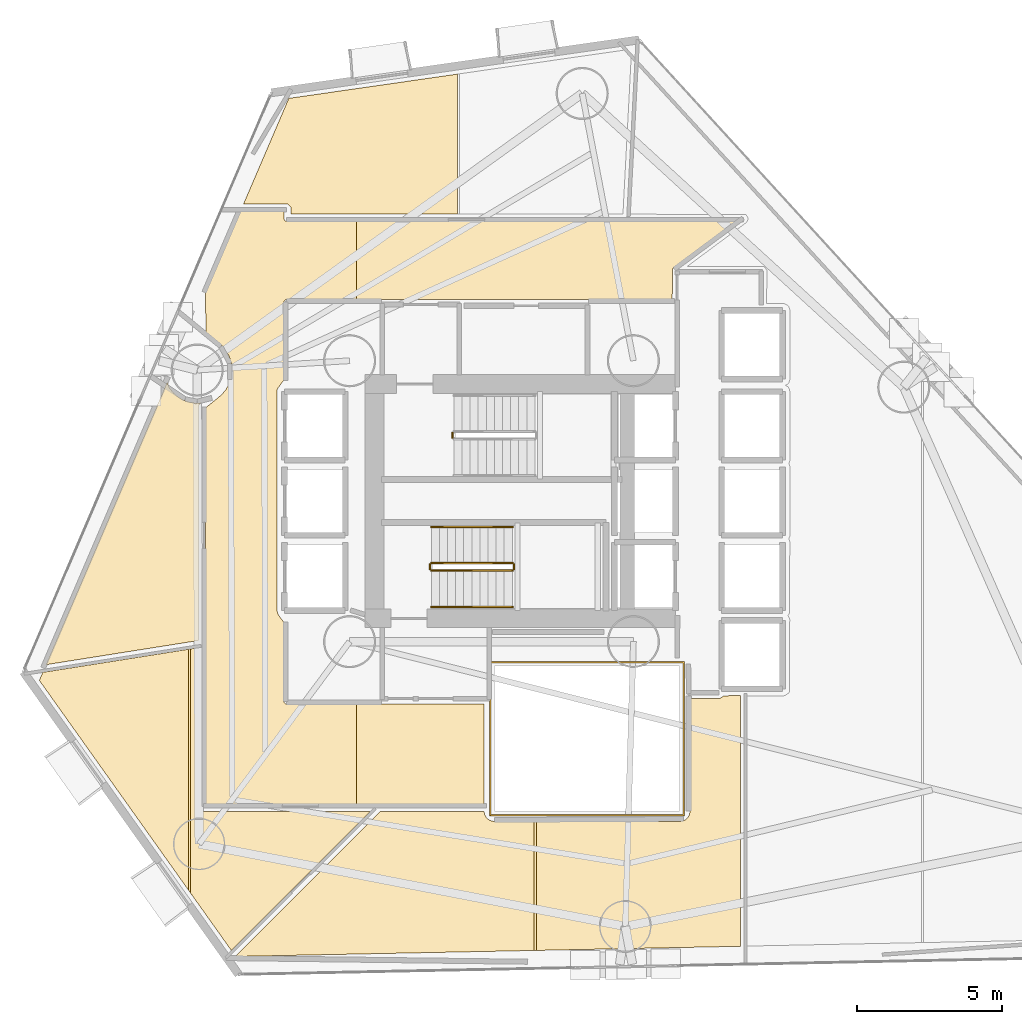
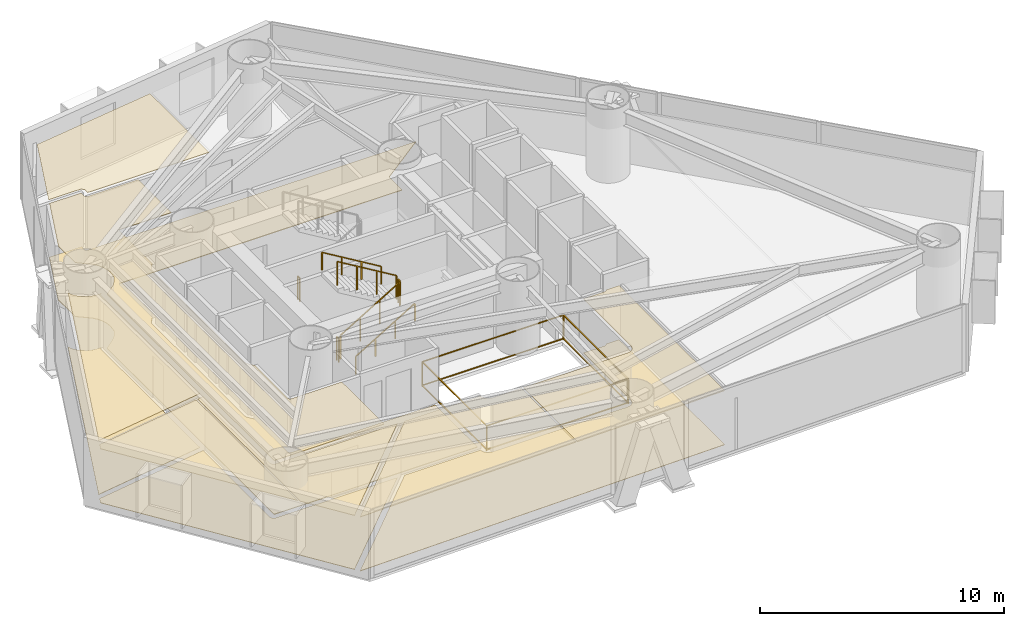
# One storey, part 20 of 22: 11 coverings, 8 railings.
"""IFC4 building model written with IfcOpenShell, lengths in metres."""

from ifc_helpers import new_model, si_unit, direction, frame, origin, origin_2d, place, context, subcontext, project, spatial, polyline, rectangle, outline, extrude, material, layer, layer_set, type_object, element, save


model = new_model("IFC4")

# Units and contexts
model_context = context("Model", 3, precision=1e-05, world=origin(), true_north=direction((0.0, 1.0)))
body_context = subcontext(model_context, "Body", "Model", "MODEL_VIEW")
ifc_project = project(units=[si_unit("LENGTHUNIT", "METRE"), si_unit("AREAUNIT", "SQUARE_METRE"), si_unit("VOLUMEUNIT", "CUBIC_METRE"), si_unit("PLANEANGLEUNIT", "RADIAN"), si_unit("MASSUNIT", "GRAM", prefix="KILO")], contexts=[model_context])

# Site, building, storey
site_placement = place(None, origin())
site = spatial("IfcSite", under=ifc_project, at=site_placement, CompositionType="ELEMENT")
building_placement = place(site_placement, origin())
building = spatial("IfcBuilding", under=site, at=building_placement, Name="Qianvela Tower", CompositionType="ELEMENT")
storey_placement = place(building_placement, frame((0.0, 0.0, 44.199951171875)))
storey = spatial("IfcBuildingStorey", under=building, at=storey_placement, Name="L10", CompositionType="ELEMENT", Elevation=44.199951171875)

# Coverings
ifc_material_1 = material(Name="Perforated Mineral Acoustic Ceiling Tile")
ifc_layer_1 = layer(ifc_material_1, 0.02490234375)
ifc_layer_set_1 = layer_set([ifc_layer_1], Name="Perforated Mineral Acoustic Ceiling Tile")
covering_type_1 = type_object("IfcCoveringType", Name="COV-CEIL-ACOUSTIC-25", PredefinedType="CEILING", material=ifc_layer_set_1)
covering_1_placement = place(storey_placement, frame((0.0, 0.0, 2.695068359375)))
element("IfcCovering", 1, at=covering_1_placement, inside=storey, type_object=covering_type_1, Name="L10 Acoustic Ceiling Bay 1 L10 Floor Corridor", PredefinedType="CEILING", context=body_context, shape_type="SweptSolid", body=[
    extrude(outline(polyline([(24.514892578125, 33.462158203125), (24.512939453125, 33.4697265625), (24.44921875, 33.6796875), (24.44677734375, 33.687255859375), (24.443359375, 33.6943359375), (24.33984375, 33.887939453125), (24.335693359375, 33.894775390625), (24.3310546875, 33.90087890625), (24.19189453125, 34.07080078125), (24.1865234375, 34.076416015625), (24.1806640625, 34.081787109375), (23.635498046875, 34.529296875), (23.630126953125, 35.912353515625), (24.83349609375, 38.719970703125), (26.340087890625, 38.719970703125), (26.340087890625, 38.449951171875), (26.34033203125, 38.442138671875), (26.341552734375, 38.434326171875), (26.343505859375, 38.4267578125), (26.34619140625, 38.41943359375), (26.349365234375, 38.412353515625), (26.353515625, 38.405517578125), (26.358154296875, 38.399169921875), (26.36328125, 38.393310546875), (26.369140625, 38.38818359375), (26.37548828125, 38.383544921875), (26.38232421875, 38.37939453125), (26.389404296875, 38.376220703125), (26.396728515625, 38.373291015625), (26.404296875, 38.37158203125), (26.412109375, 38.370361328125), (26.419921875, 38.3701171875), (28.831787109375, 38.3701171875), (28.831787109375, 35.659912109375), (26.419921875, 35.659912109375), (26.412109375, 35.65966796875), (26.404296875, 35.658447265625), (26.396728515625, 35.656494140625), (26.389404296875, 35.65380859375), (26.38232421875, 35.650634765625), (26.37548828125, 35.646484375), (26.369140625, 35.641845703125), (26.36328125, 35.63671875), (26.358154296875, 35.630859375), (26.353515625, 35.62451171875), (26.349365234375, 35.61767578125), (26.34619140625, 35.610595703125), (26.343505859375, 35.603271484375), (26.341552734375, 35.595703125), (26.34033203125, 35.587890625), (26.340087890625, 35.580078125), (26.340087890625, 32.89599609375), (26.11572265625, 32.593505859375), (26.11181640625, 32.587646484375), (26.108154296875, 32.581298828125), (26.105224609375, 32.574462890625), (26.10302734375, 32.567626953125), (26.101318359375, 32.560546875), (26.100341796875, 32.55322265625), (26.10009765625, 32.5458984375), (26.10009765625, 24.89990234375), (26.100341796875, 24.89208984375), (26.1015625, 24.884521484375), (26.103515625, 24.876708984375), (26.126953125, 24.799072265625), (26.12939453125, 24.79248046875), (26.132080078125, 24.786376953125), (26.135498046875, 24.7802734375), (26.139404296875, 24.774658203125), (26.340087890625, 24.50390625), (26.340087890625, 21.780029296875), (26.34033203125, 21.772216796875), (26.341552734375, 21.764404296875), (26.343505859375, 21.7568359375), (26.34619140625, 21.74951171875), (26.349365234375, 21.7421875), (26.353515625, 21.735595703125), (26.358154296875, 21.729248046875), (26.36328125, 21.723388671875), (26.369140625, 21.71826171875), (26.37548828125, 21.71337890625), (26.38232421875, 21.70947265625), (26.389404296875, 21.7060546875), (26.396728515625, 21.703369140625), (26.404296875, 21.701416015625), (26.412109375, 21.700439453125), (26.419921875, 21.699951171875), (28.831787109375, 21.699951171875), (28.831787109375, 18.22998046875), (23.6298828125, 18.22998046875), (23.6298828125, 31.922119140625), (24.1806640625, 32.374267578125), (24.1865234375, 32.37939453125), (24.19189453125, 32.38525390625), (24.3310546875, 32.554931640625), (24.335693359375, 32.561279296875), (24.33984375, 32.568115234375), (24.49609375, 32.8603515625), (24.49951171875, 32.867431640625), (24.502197265625, 32.875), (24.50390625, 32.882568359375), (24.505126953125, 32.890380859375), (24.53759765625, 33.22021484375), (24.5380859375, 33.22802734375), (24.53759765625, 33.23583984375), (24.51611328125, 33.454345703125), (24.514892578125, 33.462158203125)])), origin(), (0.0, 0.0, 1.0), 0.02490234375),
])
covering_2_placement = place(storey_placement, frame((0.0, 0.0, 2.695068359375)))
element("IfcCovering", 2, at=covering_2_placement, inside=storey, type_object=covering_type_1, Name="L10 Acoustic Ceiling Bay 1 Commons Day Lounge L10-01", PredefinedType="CEILING", context=body_context, shape_type="SweptSolid", body=[
    extrude(outline(polyline([(23.030029296875, 23.584716796875), (23.030029296875, 15.277587890625), (17.886474609375, 22.511474609375), (18.00537109375, 22.788818359375), (23.030029296875, 23.584716796875)])), origin(), (0.0, 0.0, 1.0), 0.02490234375),
])
covering_3_placement = place(storey_placement, frame((0.0, 0.0, 2.695068359375)))
element("IfcCovering", 3, at=covering_3_placement, inside=storey, type_object=covering_type_1, Name="L10 Acoustic Ceiling Bay 2 Commons Day Lounge L10-01", PredefinedType="CEILING", context=body_context, shape_type="SweptSolid", body=[
    extrude(outline(polyline([(23.389892578125, 23.6416015625), (23.389892578125, 18.14990234375), (23.390380859375, 18.14208984375), (23.3916015625, 18.134521484375), (23.393310546875, 18.126708984375), (23.39599609375, 18.119384765625), (23.41943359375, 18.062744140625), (23.4228515625, 18.0556640625), (23.427001953125, 18.049072265625), (23.431640625, 18.042724609375), (23.43701171875, 18.036865234375), (23.442626953125, 18.031494140625), (23.448974609375, 18.02685546875), (23.455810546875, 18.02294921875), (23.462890625, 18.01953125), (23.519287109375, 17.99609375), (23.52685546875, 17.993408203125), (23.534423828125, 17.991455078125), (23.542236328125, 17.990478515625), (23.550048828125, 17.989990234375), (29.3173828125, 17.989990234375), (24.515625, 13.188232421875), (23.110107421875, 15.1650390625), (23.110107421875, 23.597412109375), (23.389892578125, 23.6416015625)])), origin(), (0.0, 0.0, 1.0), 0.02490234375),
])
covering_4_placement = place(storey_placement, frame((0.0, 0.0, 2.695068359375)))
element("IfcCovering", 4, at=covering_4_placement, inside=storey, type_object=covering_type_1, Name="L10 Acoustic Ceiling Bay 1 Panoramic Study Lounge L10-03", PredefinedType="CEILING", context=body_context, shape_type="SweptSolid", body=[
    extrude(outline(polyline([(26.57958984375, 38.610107421875), (26.57861328125, 38.81591796875), (26.577880859375, 38.82373046875), (26.576904296875, 38.83154296875), (26.574951171875, 38.839111328125), (26.572265625, 38.846435546875), (26.56884765625, 38.853515625), (26.56494140625, 38.860107421875), (26.560302734375, 38.866455078125), (26.554931640625, 38.872314453125), (26.4921875, 38.93505859375), (26.486328125, 38.940185546875), (26.47998046875, 38.945068359375), (26.473388671875, 38.948974609375), (26.46630859375, 38.952392578125), (26.458984375, 38.955078125), (26.451416015625, 38.956787109375), (26.443603515625, 38.9580078125), (26.435791015625, 38.95849609375), (24.936279296875, 38.9599609375), (26.50048828125, 42.609375), (32.31884765625, 43.4462890625), (32.31884765625, 38.610107421875), (26.57958984375, 38.610107421875)])), origin(), (0.0, 0.0, 1.0), 0.02490234375),
])
covering_5_placement = place(storey_placement, frame((0.0, 0.0, 2.695068359375)))
element("IfcCovering", 5, at=covering_5_placement, inside=storey, type_object=covering_type_1, Name="L10 Acoustic Ceiling Floor Dining Kitchen L10-04", PredefinedType="CEILING", context=body_context, shape_type="SweptSolid", body=[
    extrude(outline(polyline([(22.299560546875, 32.80810546875), (22.3828125, 32.6083984375), (22.385986328125, 32.601318359375), (22.39013671875, 32.594482421875), (22.394775390625, 32.58837890625), (22.526611328125, 32.427734375), (22.531982421875, 32.421875), (22.53759765625, 32.41650390625), (22.6982421875, 32.284912109375), (22.70458984375, 32.280029296875), (22.71142578125, 32.276123046875), (22.89453125, 32.177978515625), (22.901611328125, 32.1748046875), (22.9091796875, 32.172119140625), (23.10791015625, 32.11181640625), (23.115478515625, 32.10986328125), (23.123291015625, 32.10888671875), (23.330078125, 32.08837890625), (23.337890625, 32.087890625), (23.345703125, 32.08837890625), (23.469482421875, 32.1005859375), (23.442626953125, 32.078369140625), (23.436767578125, 32.0732421875), (23.431640625, 32.0673828125), (23.427001953125, 32.06103515625), (23.4228515625, 32.05419921875), (23.41943359375, 32.04736328125), (23.39599609375, 31.99072265625), (23.393310546875, 31.9833984375), (23.3916015625, 31.9755859375), (23.390380859375, 31.968017578125), (23.389892578125, 31.960205078125), (23.389892578125, 23.888671875), (18.118896484375, 23.053955078125), (22.299560546875, 32.80810546875)])), origin(), (0.0, 0.0, 1.0), 0.02490234375),
])
covering_6_placement = place(storey_placement, frame((0.0, 0.0, 2.695068359375)))
element("IfcCovering", 6, at=covering_6_placement, inside=storey, type_object=covering_type_1, Name="L10 Acoustic Ceiling Bay 1 Social Galley Kitchen L10-05", PredefinedType="CEILING", context=body_context, shape_type="SweptSolid", body=[
    extrude(outline(polyline([(33.252197265625, 17.912353515625), (33.25341796875, 17.904296875), (33.25537109375, 17.896240234375), (33.258056640625, 17.888427734375), (33.261474609375, 17.881103515625), (33.31298828125, 17.78466796875), (33.31689453125, 17.77783203125), (33.32177734375, 17.771484375), (33.326904296875, 17.765869140625), (33.332763671875, 17.760498046875), (33.417236328125, 17.691162109375), (33.42431640625, 17.68603515625), (33.431884765625, 17.681640625), (33.440185546875, 17.677978515625), (33.448486328125, 17.675537109375), (33.58056640625, 17.642333984375), (33.5869140625, 17.64111328125), (33.593505859375, 17.640380859375), (33.60009765625, 17.639892578125), (34.973388671875, 17.639892578125), (34.973388671875, 13.185546875), (24.6650390625, 12.97802734375), (24.658935546875, 12.986572265625), (29.66259765625, 17.989990234375), (33.24609375, 17.989990234375), (33.252197265625, 17.912353515625)])), origin(), (0.0, 0.0, 1.0), 0.02490234375),
])
covering_7_placement = place(storey_placement, frame((0.0, 0.0, 2.695068359375)))
element("IfcCovering", 7, at=covering_7_placement, inside=storey, type_object=covering_type_1, Name="L10 Acoustic Ceiling Bay 2 Social Galley Kitchen L10-05", PredefinedType="CEILING", context=body_context, shape_type="SweptSolid", body=[
    extrude(outline(polyline([(40.0, 17.639892578125), (40.006591796875, 17.640380859375), (40.012939453125, 17.64111328125), (40.019287109375, 17.642333984375), (40.1513671875, 17.675537109375), (40.15966796875, 17.677978515625), (40.16748046875, 17.681396484375), (40.175048828125, 17.685791015625), (40.18212890625, 17.690673828125), (40.188720703125, 17.696533203125), (40.303466796875, 17.811279296875), (40.309326171875, 17.81787109375), (40.314208984375, 17.824951171875), (40.318603515625, 17.83251953125), (40.322021484375, 17.84033203125), (40.324462890625, 17.8486328125), (40.357666015625, 17.980712890625), (40.35888671875, 17.987060546875), (40.359619140625, 17.993408203125), (40.360107421875, 18.0), (40.360107421875, 21.889892578125), (41.367919921875, 21.890380859375), (41.375732421875, 21.890869140625), (41.383544921875, 21.891845703125), (41.39111328125, 21.893798828125), (41.3984375, 21.896484375), (41.405517578125, 21.89990234375), (41.45947265625, 21.9287109375), (41.46630859375, 21.932861328125), (41.472900390625, 21.9375), (41.478759765625, 21.943115234375), (41.48388671875, 21.948974609375), (41.48876953125, 21.955322265625), (41.492919921875, 21.96240234375), (41.49609375, 21.969482421875), (41.498779296875, 21.97705078125), (41.49951171875, 21.980224609375), (42.095703125, 21.983154296875), (42.095947265625, 13.328857421875), (35.053466796875, 13.187255859375), (35.053466796875, 17.639892578125), (40.0, 17.639892578125)])), origin(), (0.0, 0.0, 1.0), 0.02490234375),
])
ifc_material_2 = material(Name="Engineered Acoustic Oak Timber Flooring", Category="wood")
ifc_layer_2 = layer(ifc_material_2, 0.02001953125)
ifc_layer_set_2 = layer_set([ifc_layer_2], Name="Engineered Acoustic Oak Timber Flooring")
covering_type_2 = type_object("IfcCoveringType", Name="COV-FLOOR-OAK-20", PredefinedType="FLOORING", material=ifc_layer_set_2)
covering_8_placement = place(storey_placement, origin())
element("IfcCovering", 8, at=covering_8_placement, inside=storey, type_object=covering_type_2, Name="L10 Finish Flooring Commons Day Lounge L10-01", PredefinedType="FLOORING", context=body_context, shape_type="SweptSolid", body=[
    extrude(outline(polyline([(18.00537109375, 22.788818359375), (23.389892578125, 23.6416015625), (23.389892578125, 18.14990234375), (23.390380859375, 18.14208984375), (23.3916015625, 18.134521484375), (23.393310546875, 18.126708984375), (23.39599609375, 18.119384765625), (23.41943359375, 18.062744140625), (23.4228515625, 18.0556640625), (23.427001953125, 18.049072265625), (23.431640625, 18.042724609375), (23.43701171875, 18.036865234375), (23.442626953125, 18.031494140625), (23.448974609375, 18.02685546875), (23.455810546875, 18.02294921875), (23.462890625, 18.01953125), (23.519287109375, 17.99609375), (23.52685546875, 17.993408203125), (23.534423828125, 17.991455078125), (23.542236328125, 17.990478515625), (23.550048828125, 17.989990234375), (29.3173828125, 17.989990234375), (24.515625, 13.188232421875), (17.886474609375, 22.511474609375), (18.00537109375, 22.788818359375)])), origin(), (0.0, 0.0, 1.0), 0.02001953125),
])
covering_9_placement = place(storey_placement, origin())
element("IfcCovering", 9, at=covering_9_placement, inside=storey, type_object=covering_type_2, Name="L10 Finish Flooring Floor Dining Kitchen L10-04", PredefinedType="FLOORING", context=body_context, shape_type="SweptSolid", body=[
    extrude(outline(polyline([(22.299560546875, 32.80810546875), (22.3828125, 32.6083984375), (22.385986328125, 32.601318359375), (22.39013671875, 32.594482421875), (22.394775390625, 32.58837890625), (22.526611328125, 32.427734375), (22.531982421875, 32.421875), (22.53759765625, 32.41650390625), (22.6982421875, 32.284912109375), (22.70458984375, 32.280029296875), (22.71142578125, 32.276123046875), (22.89453125, 32.177978515625), (22.901611328125, 32.1748046875), (22.9091796875, 32.172119140625), (23.10791015625, 32.11181640625), (23.115478515625, 32.10986328125), (23.123291015625, 32.10888671875), (23.330078125, 32.08837890625), (23.337890625, 32.087890625), (23.345703125, 32.08837890625), (23.469482421875, 32.1005859375), (23.442626953125, 32.078369140625), (23.436767578125, 32.0732421875), (23.431640625, 32.0673828125), (23.427001953125, 32.06103515625), (23.4228515625, 32.05419921875), (23.41943359375, 32.04736328125), (23.39599609375, 31.99072265625), (23.393310546875, 31.9833984375), (23.3916015625, 31.9755859375), (23.390380859375, 31.968017578125), (23.389892578125, 31.960205078125), (23.389892578125, 23.888671875), (18.118896484375, 23.053955078125), (22.299560546875, 32.80810546875)])), origin(), (0.0, 0.0, 1.0), 0.02001953125),
])
covering_10_placement = place(storey_placement, origin())
element("IfcCovering", 10, at=covering_10_placement, inside=storey, type_object=covering_type_2, Name="L10 Finish Flooring Social Galley Kitchen L10-05", PredefinedType="FLOORING", context=body_context, shape_type="SweptSolid", body=[
    extrude(outline(polyline([(33.24609375, 17.989990234375), (33.252197265625, 17.912353515625), (33.25341796875, 17.904296875), (33.25537109375, 17.896240234375), (33.258056640625, 17.888427734375), (33.261474609375, 17.881103515625), (33.31298828125, 17.78466796875), (33.31689453125, 17.77783203125), (33.32177734375, 17.771484375), (33.326904296875, 17.765869140625), (33.332763671875, 17.760498046875), (33.417236328125, 17.691162109375), (33.42431640625, 17.68603515625), (33.431884765625, 17.681640625), (33.440185546875, 17.677978515625), (33.448486328125, 17.675537109375), (33.58056640625, 17.642333984375), (33.5869140625, 17.64111328125), (33.593505859375, 17.640380859375), (33.60009765625, 17.639892578125), (40.0, 17.639892578125), (40.006591796875, 17.640380859375), (40.012939453125, 17.64111328125), (40.019287109375, 17.642333984375), (40.1513671875, 17.675537109375), (40.15966796875, 17.677978515625), (40.16748046875, 17.681396484375), (40.175048828125, 17.685791015625), (40.18212890625, 17.690673828125), (40.188720703125, 17.696533203125), (40.303466796875, 17.811279296875), (40.309326171875, 17.81787109375), (40.314208984375, 17.824951171875), (40.318603515625, 17.83251953125), (40.322021484375, 17.84033203125), (40.324462890625, 17.8486328125), (40.357666015625, 17.980712890625), (40.35888671875, 17.987060546875), (40.359619140625, 17.993408203125), (40.360107421875, 18.0), (40.360107421875, 21.889892578125), (41.367919921875, 21.890380859375), (41.375732421875, 21.890869140625), (41.383544921875, 21.891845703125), (41.39111328125, 21.893798828125), (41.3984375, 21.896484375), (41.405517578125, 21.89990234375), (41.45947265625, 21.9287109375), (41.46630859375, 21.932861328125), (41.472900390625, 21.9375), (41.478759765625, 21.943115234375), (41.48388671875, 21.948974609375), (41.48876953125, 21.955322265625), (41.492919921875, 21.96240234375), (41.49609375, 21.969482421875), (41.498779296875, 21.97705078125), (41.49951171875, 21.980224609375), (42.095703125, 21.983154296875), (42.095947265625, 13.328857421875), (24.6650390625, 12.97802734375), (24.658935546875, 12.986572265625), (29.66259765625, 17.989990234375), (33.24609375, 17.989990234375)])), origin(), (0.0, 0.0, 1.0), 0.02001953125),
])
ifc_material_3 = material(Name="Honed Stone Terrazzo Flooring", Category="masonry")
ifc_layer_3 = layer(ifc_material_3, 0.030029296875)
ifc_layer_set_3 = layer_set([ifc_layer_3], Name="Honed Stone Terrazzo Flooring")
covering_type_3 = type_object("IfcCoveringType", Name="COV-FLOOR-TERRAZZO-30", PredefinedType="FLOORING", material=ifc_layer_set_3)
covering_11_placement = place(storey_placement, origin())
element("IfcCovering", 11, at=covering_11_placement, inside=storey, type_object=covering_type_3, Name="L10 Finish Flooring L10 Floor Corridor", PredefinedType="FLOORING", context=body_context, shape_type="SweptSolid", body=[
    extrude(outline(polyline([(24.51611328125, 33.454345703125), (24.514892578125, 33.462158203125), (24.512939453125, 33.4697265625), (24.44921875, 33.6796875), (24.44677734375, 33.687255859375), (24.443359375, 33.6943359375), (24.33984375, 33.887939453125), (24.335693359375, 33.894775390625), (24.3310546875, 33.90087890625), (24.19189453125, 34.07080078125), (24.1865234375, 34.076416015625), (24.1806640625, 34.081787109375), (23.635498046875, 34.529296875), (23.630126953125, 35.912353515625), (24.83349609375, 38.719970703125), (26.340087890625, 38.719970703125), (26.340087890625, 38.449951171875), (26.34033203125, 38.442138671875), (26.341552734375, 38.434326171875), (26.343505859375, 38.4267578125), (26.34619140625, 38.41943359375), (26.349365234375, 38.412353515625), (26.353515625, 38.405517578125), (26.358154296875, 38.399169921875), (26.36328125, 38.393310546875), (26.369140625, 38.38818359375), (26.37548828125, 38.383544921875), (26.38232421875, 38.37939453125), (26.389404296875, 38.376220703125), (26.396728515625, 38.373291015625), (26.404296875, 38.37158203125), (26.412109375, 38.370361328125), (26.419921875, 38.3701171875), (41.961181640625, 38.3701171875), (39.784423828125, 36.753662109375), (39.778076171875, 36.748291015625), (39.772216796875, 36.742431640625), (39.76708984375, 36.736083984375), (39.7626953125, 36.729248046875), (39.759033203125, 36.721923828125), (39.756103515625, 36.71435546875), (39.75390625, 36.70654296875), (39.752685546875, 36.698486328125), (39.752197265625, 36.690185546875), (39.739013671875, 35.659912109375), (26.419921875, 35.659912109375), (26.412109375, 35.65966796875), (26.404296875, 35.658447265625), (26.396728515625, 35.656494140625), (26.389404296875, 35.65380859375), (26.38232421875, 35.650634765625), (26.37548828125, 35.646484375), (26.369140625, 35.641845703125), (26.36328125, 35.63671875), (26.358154296875, 35.630859375), (26.353515625, 35.62451171875), (26.349365234375, 35.61767578125), (26.34619140625, 35.610595703125), (26.343505859375, 35.603271484375), (26.341552734375, 35.595703125), (26.34033203125, 35.587890625), (26.340087890625, 35.580078125), (26.340087890625, 32.89599609375), (26.11572265625, 32.593505859375), (26.11181640625, 32.587646484375), (26.108154296875, 32.581298828125), (26.105224609375, 32.574462890625), (26.10302734375, 32.567626953125), (26.101318359375, 32.560546875), (26.100341796875, 32.55322265625), (26.10009765625, 32.5458984375), (26.10009765625, 24.89990234375), (26.100341796875, 24.89208984375), (26.1015625, 24.884521484375), (26.103515625, 24.876708984375), (26.126953125, 24.799072265625), (26.12939453125, 24.79248046875), (26.132080078125, 24.786376953125), (26.135498046875, 24.7802734375), (26.139404296875, 24.774658203125), (26.340087890625, 24.50390625), (26.340087890625, 21.780029296875), (26.34033203125, 21.772216796875), (26.341552734375, 21.764404296875), (26.343505859375, 21.7568359375), (26.34619140625, 21.74951171875), (26.349365234375, 21.7421875), (26.353515625, 21.735595703125), (26.358154296875, 21.729248046875), (26.36328125, 21.723388671875), (26.369140625, 21.71826171875), (26.37548828125, 21.71337890625), (26.38232421875, 21.70947265625), (26.389404296875, 21.7060546875), (26.396728515625, 21.703369140625), (26.404296875, 21.701416015625), (26.412109375, 21.700439453125), (26.419921875, 21.699951171875), (33.239990234375, 21.699951171875), (33.239990234375, 18.22998046875), (23.6298828125, 18.22998046875), (23.6298828125, 31.922119140625), (24.1806640625, 32.374267578125), (24.1865234375, 32.37939453125), (24.19189453125, 32.38525390625), (24.3310546875, 32.554931640625), (24.335693359375, 32.561279296875), (24.33984375, 32.568115234375), (24.49609375, 32.8603515625), (24.49951171875, 32.867431640625), (24.502197265625, 32.875), (24.50390625, 32.882568359375), (24.505126953125, 32.890380859375), (24.53759765625, 33.22021484375), (24.5380859375, 33.22802734375), (24.53759765625, 33.23583984375), (24.51611328125, 33.454345703125)])), origin(), (0.0, 0.0, 1.0), 0.030029296875),
])

# Railings
ifc_material_4 = material(Name="Laminated Safety Glass and Stainless Steel 316", Category="steel")
railing_type_1 = type_object("IfcRailingType", Name="RL-ATRIUM-GUARD-1250", PredefinedType="GUARDRAIL", material=ifc_material_4)
railing_1_placement = place(storey_placement, frame((33.4599609375, 17.860107421875, 0.0)))
element("IfcRailing", 12, at=railing_1_placement, inside=storey, type_object=railing_type_1, Name="L10 Atrium Edge Guardrail 1", PredefinedType="GUARDRAIL", context=body_context, shape_type="SweptSolid", body=[
    extrude(rectangle(XDim=0.050048828125, YDim=0.0400390625, at=origin_2d()), frame((0.0, 0.0, 1.22998046875), z_axis=(0.0, 1.0, 0.0), x_axis=(-1.0, 0.0, 0.0)), (0.0, 0.0, 1.0), 5.27978515625),
    extrude(rectangle(XDim=0.050048828125, YDim=0.0400390625, at=origin_2d()), frame((0.0, 0.0, 0.050048828125), z_axis=(0.0, 1.0, 0.0), x_axis=(-1.0, 0.0, 0.0)), (0.0, 0.0, 1.0), 5.27978515625),
    extrude(rectangle(XDim=0.050048828125, YDim=0.0400390625, at=origin_2d()), frame((0.0, 5.27978515625, 1.22998046875), z_axis=(1.0, 0.0, 0.0), x_axis=(0.0, 1.0, 0.0)), (0.0, 0.0, 1.0), 6.679931640625),
    extrude(rectangle(XDim=0.050048828125, YDim=0.0400390625, at=origin_2d()), frame((0.0, 5.27978515625, 0.050048828125), z_axis=(1.0, 0.0, 0.0), x_axis=(0.0, 1.0, 0.0)), (0.0, 0.0, 1.0), 6.679931640625),
    extrude(rectangle(XDim=0.050048828125, YDim=0.0400390625, at=origin_2d()), frame((6.679931640625, 5.27978515625, 1.22998046875), z_axis=(0.0, -1.0, 0.0), x_axis=(1.0, 0.0, 0.0)), (0.0, 0.0, 1.0), 5.27978515625),
    extrude(rectangle(XDim=0.050048828125, YDim=0.0400390625, at=origin_2d()), frame((6.679931640625, 5.27978515625, 0.050048828125), z_axis=(0.0, -1.0, 0.0), x_axis=(1.0, 0.0, 0.0)), (0.0, 0.0, 1.0), 5.27978515625),
    extrude(rectangle(XDim=0.050048828125, YDim=0.0400390625, at=origin_2d()), frame((6.679931640625, 0.0, 1.22998046875), z_axis=(-1.0, 0.0, 0.0), x_axis=(0.0, -1.0, 0.0)), (0.0, 0.0, 1.0), 6.679931640625),
    extrude(rectangle(XDim=0.050048828125, YDim=0.0400390625, at=origin_2d()), frame((6.679931640625, 0.0, 0.050048828125), z_axis=(-1.0, 0.0, 0.0), x_axis=(0.0, -1.0, 0.0)), (0.0, 0.0, 1.0), 6.679931640625),
    extrude(rectangle(XDim=0.050048828125, YDim=0.050048828125, at=origin_2d()), origin(), (0.0, 0.0, 1.0), 1.2099609375),
    extrude(rectangle(XDim=0.050048828125, YDim=0.050048828125, at=origin_2d()), frame((0.0, 5.27978515625, 0.0)), (0.0, 0.0, 1.0), 1.2099609375),
    extrude(rectangle(XDim=0.050048828125, YDim=0.050048828125, at=origin_2d()), frame((6.679931640625, 5.27978515625, 0.0)), (0.0, 0.0, 1.0), 1.2099609375),
    extrude(rectangle(XDim=0.050048828125, YDim=0.050048828125, at=origin_2d()), frame((6.679931640625, 0.0, 0.0)), (0.0, 0.0, 1.0), 1.2099609375),
])
ifc_material_5 = material(Name="Painted Tubular Steel Q355B", Category="steel")
railing_type_2 = type_object("IfcRailingType", Name="RL-STAIR-GUARD-1200", PredefinedType="GUARDRAIL", material=ifc_material_5)
railing_2_placement = place(storey_placement, frame((32.14990234375, 30.889892578125, 0.0)))
element("IfcRailing", 13, at=railing_2_placement, inside=storey, type_object=railing_type_2, Name="L10 ST-1 stair guard 4", PredefinedType="GUARDRAIL", context=body_context, shape_type="SweptSolid", body=[
    extrude(rectangle(XDim=0.050048828125, YDim=0.0400390625, at=origin_2d()), frame((0.0, 0.0, 1.179931640625), z_axis=(0.0, 1.0, 0.0), x_axis=(-1.0, 0.0, 0.0)), (0.0, 0.0, 1.0), 0.16015625),
    extrude(rectangle(XDim=0.050048828125, YDim=0.050048828125, at=origin_2d()), origin(), (0.0, 0.0, 1.0), 1.159912109375),
    extrude(rectangle(XDim=0.050048828125, YDim=0.050048828125, at=origin_2d()), frame((0.0, 0.16015625, 0.0)), (0.0, 0.0, 1.0), 1.159912109375),
])
railing_3_placement = place(storey_placement, frame((31.419921875, 26.300048828125, 0.168212890625)))
element("IfcRailing", 14, at=railing_3_placement, inside=storey, type_object=railing_type_2, Name="L10 ST-2 stair guard 1", PredefinedType="GUARDRAIL", context=body_context, shape_type="SweptSolid", body=[
    extrude(rectangle(XDim=0.050048828125, YDim=0.0400390625, at=origin_2d()), frame((0.0, 0.0, 1.179931640625), z_axis=(0.857242210791, 0.0, 0.514913383045), x_axis=(0.0, 1.0, 0.0)), (0.0, 0.0, 1.0), 3.266357421875),
    extrude(rectangle(XDim=0.050048828125, YDim=0.050048828125, at=origin_2d()), origin(), (0.0, 0.0, 1.0), 1.159912109375),
    extrude(rectangle(XDim=0.050048828125, YDim=0.050048828125, at=origin_2d()), frame((0.933349609375, 0.0, 0.560546875)), (0.0, 0.0, 1.0), 1.159912109375),
    extrude(rectangle(XDim=0.050048828125, YDim=0.050048828125, at=origin_2d()), frame((1.86669921875, 0.0, 1.121337890625)), (0.0, 0.0, 1.0), 1.159912109375),
    extrude(rectangle(XDim=0.050048828125, YDim=0.050048828125, at=origin_2d()), frame((2.800048828125, 0.0, 1.681884765625)), (0.0, 0.0, 1.0), 1.159912109375),
])
railing_4_placement = place(storey_placement, frame((34.27001953125, 26.35009765625, 1.85009765625)))
element("IfcRailing", 15, at=railing_4_placement, inside=storey, type_object=railing_type_2, Name="L10 ST-2 stair guard 2", PredefinedType="GUARDRAIL", context=body_context, shape_type="SweptSolid", body=[
    extrude(rectangle(XDim=0.050048828125, YDim=0.0400390625, at=origin_2d()), frame((0.0, 0.0, 1.179931640625), z_axis=(0.0, 1.0, 0.0), x_axis=(-1.0, 0.0, 0.0)), (0.0, 0.0, 1.0), 0.159912109375),
    extrude(rectangle(XDim=0.050048828125, YDim=0.050048828125, at=origin_2d()), origin(), (0.0, 0.0, 1.0), 1.159912109375),
    extrude(rectangle(XDim=0.050048828125, YDim=0.050048828125, at=origin_2d()), frame((0.0, 0.159912109375, 0.0)), (0.0, 0.0, 1.0), 1.159912109375),
])
railing_5_placement = place(storey_placement, frame((34.219970703125, 26.56005859375, 2.018310546875)))
element("IfcRailing", 16, at=railing_5_placement, inside=storey, type_object=railing_type_2, Name="L10 ST-2 stair guard 3", PredefinedType="GUARDRAIL", context=body_context, shape_type="SweptSolid", body=[
    extrude(rectangle(XDim=0.050048828125, YDim=0.0400390625, at=origin_2d()), frame((0.0, 0.0, 1.179931640625), z_axis=(-0.857275202839, 0.0, 0.514858452973), x_axis=(0.0, -1.0, 0.0)), (0.0, 0.0, 1.0), 3.26611328125),
    extrude(rectangle(XDim=0.050048828125, YDim=0.050048828125, at=origin_2d()), origin(), (0.0, 0.0, 1.0), 1.159912109375),
    extrude(rectangle(XDim=0.050048828125, YDim=0.050048828125, at=origin_2d()), frame((-0.933349609375, 0.0, 0.560546875)), (0.0, 0.0, 1.0), 1.159912109375),
    extrude(rectangle(XDim=0.050048828125, YDim=0.050048828125, at=origin_2d()), frame((-1.86669921875, 0.0, 1.12109375)), (0.0, 0.0, 1.0), 1.159912109375),
    extrude(rectangle(XDim=0.050048828125, YDim=0.050048828125, at=origin_2d()), frame((-2.800048828125, 0.0, 1.681640625)), (0.0, 0.0, 1.0), 1.159912109375),
])
railing_6_placement = place(storey_placement, frame((31.3701171875, 26.35009765625, 0.0)))
element("IfcRailing", 17, at=railing_6_placement, inside=storey, type_object=railing_type_2, Name="L10 ST-2 stair guard 4", PredefinedType="GUARDRAIL", context=body_context, shape_type="SweptSolid", body=[
    extrude(rectangle(XDim=0.050048828125, YDim=0.0400390625, at=origin_2d()), frame((0.0, 0.0, 1.179931640625), z_axis=(0.0, 1.0, 0.0), x_axis=(-1.0, 0.0, 0.0)), (0.0, 0.0, 1.0), 0.159912109375),
    extrude(rectangle(XDim=0.050048828125, YDim=0.050048828125, at=origin_2d()), origin(), (0.0, 0.0, 1.0), 1.159912109375),
    extrude(rectangle(XDim=0.050048828125, YDim=0.050048828125, at=origin_2d()), frame((0.0, 0.159912109375, 0.0)), (0.0, 0.0, 1.0), 1.159912109375),
])
ifc_material_6 = material(Name="Brushed Stainless Steel 304", Category="steel")
railing_type_3 = type_object("IfcRailingType", Name="RL-STAIR-HANDRAIL-900", PredefinedType="HANDRAIL", material=ifc_material_6)
railing_7_placement = place(storey_placement, frame((31.419921875, 25.050048828125, 0.168212890625)))
element("IfcRailing", 18, at=railing_7_placement, inside=storey, type_object=railing_type_3, Name="L10 ST-2 stair handrail 1", PredefinedType="HANDRAIL", context=body_context, shape_type="SweptSolid", body=[
    extrude(rectangle(XDim=0.050048828125, YDim=0.0400390625, at=origin_2d()), frame((0.0, 0.0, 0.8798828125), z_axis=(0.857242210791, 0.0, 0.514913383045), x_axis=(0.0, 1.0, 0.0)), (0.0, 0.0, 1.0), 3.266357421875),
    extrude(rectangle(XDim=0.050048828125, YDim=0.050048828125, at=origin_2d()), origin(), (0.0, 0.0, 1.0), 0.85986328125),
    extrude(rectangle(XDim=0.050048828125, YDim=0.050048828125, at=origin_2d()), frame((0.933349609375, 0.0, 0.560546875)), (0.0, 0.0, 1.0), 0.85986328125),
    extrude(rectangle(XDim=0.050048828125, YDim=0.050048828125, at=origin_2d()), frame((1.86669921875, 0.0, 1.121337890625)), (0.0, 0.0, 1.0), 0.85986328125),
    extrude(rectangle(XDim=0.050048828125, YDim=0.050048828125, at=origin_2d()), frame((2.800048828125, 0.0, 1.681884765625)), (0.0, 0.0, 1.0), 0.85986328125),
])
railing_8_placement = place(storey_placement, frame((34.219970703125, 27.81005859375, 2.018310546875)))
element("IfcRailing", 19, at=railing_8_placement, inside=storey, type_object=railing_type_3, Name="L10 ST-2 stair handrail 2", PredefinedType="HANDRAIL", context=body_context, shape_type="SweptSolid", body=[
    extrude(rectangle(XDim=0.050048828125, YDim=0.0400390625, at=origin_2d()), frame((0.0, 0.0, 0.8798828125), z_axis=(-0.857275202839, 0.0, 0.514858452973), x_axis=(0.0, -1.0, 0.0)), (0.0, 0.0, 1.0), 3.26611328125),
    extrude(rectangle(XDim=0.050048828125, YDim=0.050048828125, at=origin_2d()), origin(), (0.0, 0.0, 1.0), 0.85986328125),
    extrude(rectangle(XDim=0.050048828125, YDim=0.050048828125, at=origin_2d()), frame((-0.933349609375, 0.0, 0.560546875)), (0.0, 0.0, 1.0), 0.85986328125),
    extrude(rectangle(XDim=0.050048828125, YDim=0.050048828125, at=origin_2d()), frame((-1.86669921875, 0.0, 1.12109375)), (0.0, 0.0, 1.0), 0.85986328125),
    extrude(rectangle(XDim=0.050048828125, YDim=0.050048828125, at=origin_2d()), frame((-2.800048828125, 0.0, 1.681640625)), (0.0, 0.0, 1.0), 0.85986328125),
])

save(model, "model.ifc")
